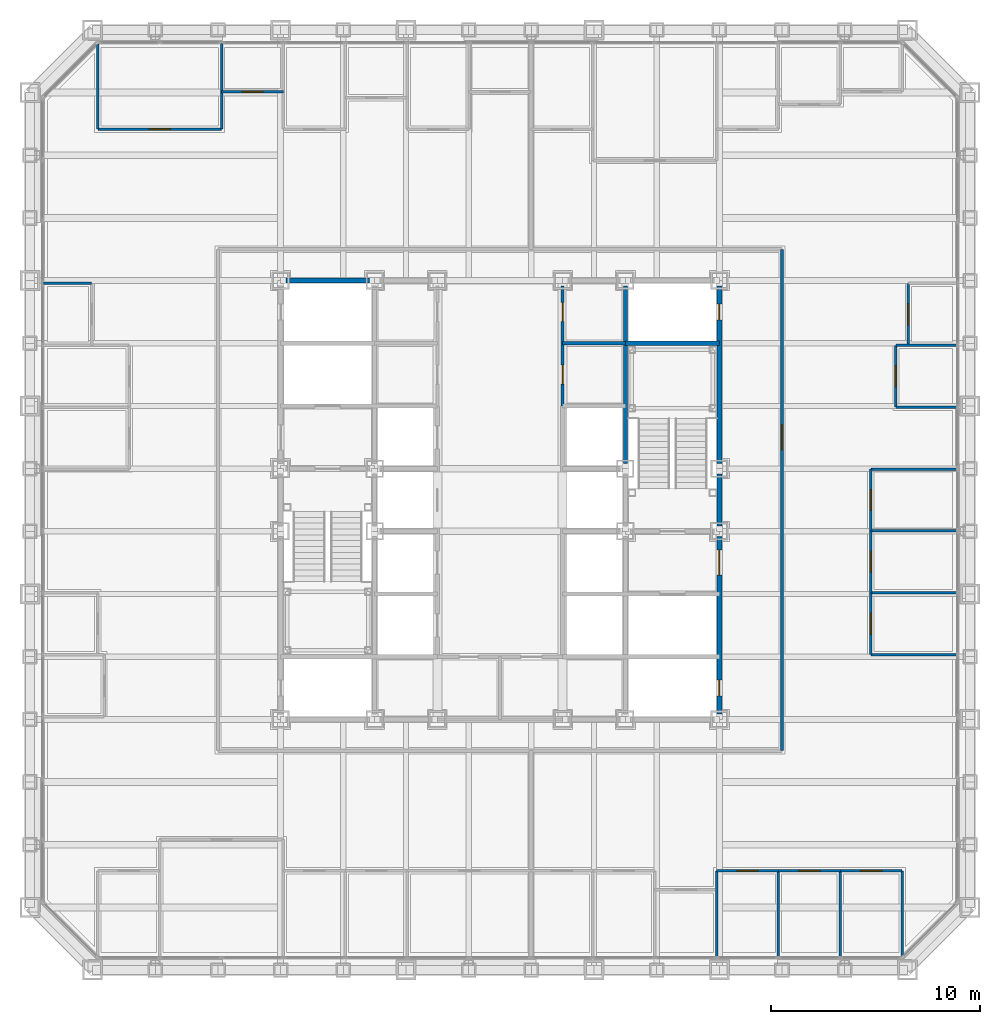
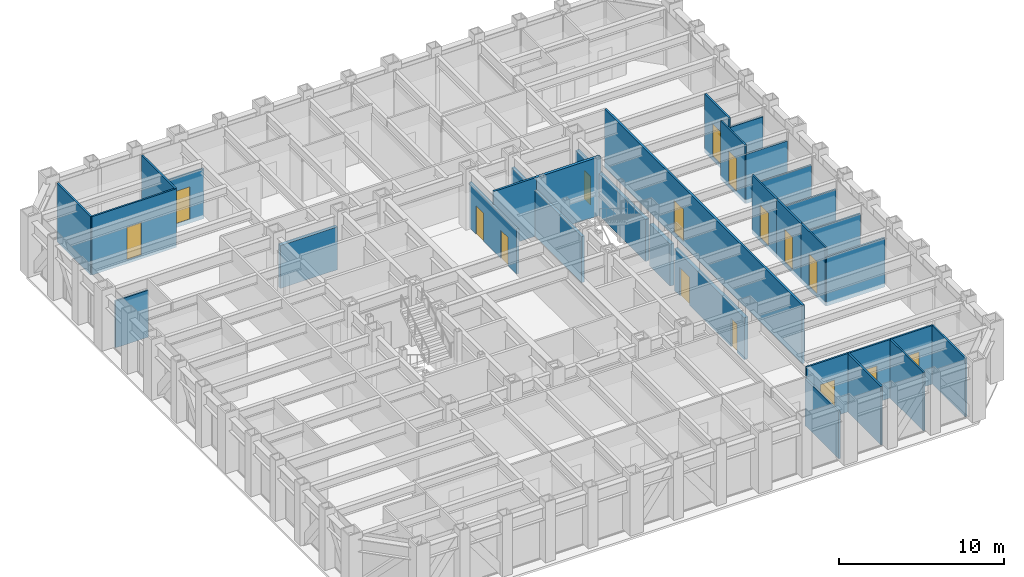
# One storey, part 10 of 16: 32 walls, 16 doors, 16 openings.
"""IFC4 building model written with IfcOpenShell, lengths in metres."""

import ifcopenshell
import ifcopenshell.guid

model = None  # the IFC model being written
_history = None  # IfcOwnerHistory: only IFC2X3 demands one
_inside = {}  # id of a spatial element -> (the spatial element, [elements in it])
_under = {}  # id of a project, library or spatial element -> (it, [spatial elements below it])
_declared = {}  # id of a project -> (the project, [libraries it declares])
_typed = {}  # id of a type object -> (the type object, [elements of that type])
_made_of = {}  # id of a material, layer set ... -> (it, [elements and type objects made of it])


def new_model(schema):
    """Start an empty IFC model of exactly this schema.

    Asked for "IFC4X3", IfcOpenShell would pick the latest addendum, in which some entities
    have other attributes; the version numbers below select the first issue.
    IFC2X3 requires an IfcOwnerHistory on every rooted entity: one is made here for all.
    """
    global model, _history
    if schema == "IFC4X3":
        model = ifcopenshell.file(schema_version=(4, 3, 0, 0))
    else:
        model = ifcopenshell.file(schema=schema)
    _inside.clear()
    _under.clear()
    _declared.clear()
    _typed.clear()
    _made_of.clear()
    _history = None
    if model.schema == "IFC2X3":
        org = make("IfcOrganization", Name="unknown")
        user = make(
            "IfcPersonAndOrganization",
            ThePerson=make("IfcPerson", FamilyName="unknown"),
            TheOrganization=org,
        )
        app = make(
            "IfcApplication",
            ApplicationDeveloper=org,
            Version="unknown",
            ApplicationFullName="unknown",
            ApplicationIdentifier="unknown",
        )
        _history = make(
            "IfcOwnerHistory",
            OwningUser=user,
            OwningApplication=app,
            ChangeAction="ADDED",
            CreationDate=0,
        )
    return model


def make(cls, **values):
    """One entity of the class cls with the attributes given. An attribute that is None is left unset."""
    return model.create_entity(
        cls, **{name: value for name, value in values.items() if value is not None}
    )


def rooted(cls, **values):
    """An entity with a GlobalId (a new one), such as an element, a storey or a relation."""
    return make(cls, GlobalId=ifcopenshell.guid.new(), OwnerHistory=_history, **values)


def si_unit(unit_type, name, prefix=None):
    """IfcSIUnit, for example si_unit("LENGTHUNIT", "METRE", prefix="MILLI")."""
    return make("IfcSIUnit", UnitType=unit_type, Prefix=prefix, Name=name)


def assignment(units):
    """IfcUnitAssignment: the units of a project."""
    return None if units is None else make("IfcUnitAssignment", Units=units)


def point(xyz):
    """IfcCartesianPoint."""
    return None if xyz is None else make("IfcCartesianPoint", Coordinates=xyz)


def direction(xyz):
    """IfcDirection."""
    return None if xyz is None else make("IfcDirection", DirectionRatios=xyz)


def frame(location, z_axis=None, x_axis=None):
    """IfcAxis2Placement3D, a coordinate frame: its origin and axes. An axis left out is left unset."""
    return make(
        "IfcAxis2Placement3D",
        Location=point(location),
        Axis=direction(z_axis),
        RefDirection=direction(x_axis),
    )


def frame_2d(location, x_axis=None):
    """IfcAxis2Placement2D, a coordinate frame in the plane: its origin and x axis."""
    return make(
        "IfcAxis2Placement2D", Location=point(location), RefDirection=direction(x_axis)
    )


def origin():
    """The frame at (0, 0, 0) with its axes left unset."""
    return frame((0.0, 0.0, 0.0))


def place(relative_to, where):
    """IfcLocalPlacement: puts the frame where relative to a parent placement (None: the world)."""
    return make(
        "IfcLocalPlacement", PlacementRelTo=relative_to, RelativePlacement=where
    )


def context(
    kind, dimensions, precision=None, world=None, true_north=None, identifier=None
):
    """IfcGeometricRepresentationContext, for example the 3D "Model" context."""
    return make(
        "IfcGeometricRepresentationContext",
        ContextIdentifier=identifier,
        ContextType=kind,
        CoordinateSpaceDimension=dimensions,
        Precision=precision,
        WorldCoordinateSystem=world,
        TrueNorth=true_north,
    )


def subcontext(parent, identifier, kind, view, scale=None):
    """IfcGeometricRepresentationSubContext, for example "Body" below "Model"."""
    return make(
        "IfcGeometricRepresentationSubContext",
        ContextIdentifier=identifier,
        ContextType=kind,
        ParentContext=parent,
        TargetScale=scale,
        TargetView=view,
    )


def project(units=None, contexts=None):
    """IfcProject with its units and contexts."""
    return rooted(
        "IfcProject",
        Name="project",
        RepresentationContexts=contexts,
        UnitsInContext=assignment(units),
    )


def spatial(cls, under=None, at=None, **own):
    """A site, building, storey or space (cls), placed at a placement, below another one or the project."""
    s = rooted(cls, ObjectPlacement=at, **own)
    if under is not None:
        _under.setdefault(under.id(), (under, []))[1].append(s)
    return s


def profile(cls, at=None, kind="AREA", **sizes):
    """A parametric profile (cls). Its sizes go by their IFC names, for example OverallWidth=200.0."""
    return make(cls, ProfileType=kind, Position=at, **sizes)


def rectangle(**sizes):
    """IfcRectangleProfileDef."""
    return profile("IfcRectangleProfileDef", **sizes)


def extrude(swept, where, along, depth):
    """IfcExtrudedAreaSolid: the profile swept, set in the frame where, extruded along a direction by depth."""
    return make(
        "IfcExtrudedAreaSolid",
        SweptArea=swept,
        Position=where,
        ExtrudedDirection=direction(along),
        Depth=depth,
    )


def shape(context_of_items, identifier, shape_type, items):
    """IfcShapeRepresentation: the items that make up one representation, for example the "Body"."""
    return make(
        "IfcShapeRepresentation",
        ContextOfItems=context_of_items,
        RepresentationIdentifier=identifier,
        RepresentationType=shape_type,
        Items=items,
    )


def material(Name=None, Category=None):
    """IfcMaterial."""
    return make("IfcMaterial", Name=Name, Category=Category)


def layer(
    of_material, thickness, ventilated=None, Name=None, Category=None, Priority=None
):
    """IfcMaterialLayer: one layer of a wall or slab, of a material (None: an air gap)."""
    return make(
        "IfcMaterialLayer",
        Material=of_material,
        LayerThickness=thickness,
        IsVentilated=ventilated,
        Name=Name,
        Category=Category,
        Priority=Priority,
    )


def layer_set(layers, Name=None):
    """IfcMaterialLayerSet."""
    return make("IfcMaterialLayerSet", MaterialLayers=layers, LayerSetName=Name)


def made_of(thing, what):
    """Note that an element or type object is made of a material, layer set ...; save() writes the relation."""
    if what is not None:
        _made_of.setdefault(what.id(), (what, []))[1].append(thing)
    return thing


def type_object(cls, material=None, **own):
    """A type object (cls), such as IfcWallType, which elements share."""
    return made_of(rooted(cls, **own), material)


def element(
    cls,
    number,
    at=None,
    inside=None,
    cuts=None,
    type_object=None,
    material=None,
    context=None,
    identifier="Body",
    shape_type=None,
    held_by="IfcProductDefinitionShape",
    body=None,
    shapes=None,
    **own,
):
    """One element of the class cls, such as IfcWall. Its Tag is "e" and its number.

    at: its placement. inside: the storey or other place that contains it. cuts: it is an
    opening in that element (IfcRelVoidsElement). A single representation is given by context,
    identifier, shape_type and body (its items); several are given by shapes. held_by: the class
    of the entity that holds the representations. save() writes the other relations.
    """
    e = rooted(cls, Tag="e%d" % number, ObjectPlacement=at, **own)
    if body is not None:
        shapes = [shape(context, identifier, shape_type, body)]
    if shapes is not None:
        e.Representation = make(held_by, Representations=shapes)
    if inside is not None:
        _inside.setdefault(inside.id(), (inside, []))[1].append(e)
    if cuts is not None:
        rooted(
            "IfcRelVoidsElement", RelatingBuildingElement=cuts, RelatedOpeningElement=e
        )
    if type_object is not None:
        _typed.setdefault(type_object.id(), (type_object, []))[1].append(e)
    return made_of(e, material)


def fill(opening, filler):
    """IfcRelFillsElement: the door or window that sits in an opening."""
    return rooted(
        "IfcRelFillsElement",
        RelatingOpeningElement=opening,
        RelatedBuildingElement=filler,
    )


def aggregate(whole, parts):
    """IfcRelAggregates: a whole, such as a stair, and the parts it consists of."""
    return rooted("IfcRelAggregates", RelatingObject=whole, RelatedObjects=parts)


def save(model, path):
    """Write the relations noted so far, then the file.

    IfcRelAggregates (storeys below a building ...), IfcRelContainedInSpatialStructure (elements
    in a storey), IfcRelDefinesByType, IfcRelAssociatesMaterial and IfcRelDeclares: one each for
    every whole, place, type object, material and project.
    """
    for whole, parts in _under.values():
        aggregate(whole, parts)
    for where, things in _inside.values():
        rooted(
            "IfcRelContainedInSpatialStructure",
            RelatedElements=things,
            RelatingStructure=where,
        )
    for kind, things in _typed.values():
        rooted("IfcRelDefinesByType", RelatedObjects=things, RelatingType=kind)
    for what, things in _made_of.values():
        rooted("IfcRelAssociatesMaterial", RelatedObjects=things, RelatingMaterial=what)
    for by, libraries in _declared.values():
        rooted("IfcRelDeclares", RelatingContext=by, RelatedDefinitions=libraries)
    model.write(path)


model = new_model("IFC4")

# Units and contexts
model_context = context("Model", 3, precision=1e-05, world=origin(), true_north=direction((0.0, 1.0)))
body_context = subcontext(model_context, "Body", "Model", "MODEL_VIEW")
ifc_project = project(units=[si_unit("LENGTHUNIT", "METRE"), si_unit("AREAUNIT", "SQUARE_METRE"), si_unit("VOLUMEUNIT", "CUBIC_METRE"), si_unit("PLANEANGLEUNIT", "RADIAN"), si_unit("MASSUNIT", "GRAM", prefix="KILO")], contexts=[model_context])

# Site, building, storey
site_placement = place(None, origin())
site = spatial("IfcSite", under=ifc_project, at=site_placement, CompositionType="ELEMENT")
building_placement = place(site_placement, origin())
building = spatial("IfcBuilding", under=site, at=building_placement, Name="Chuquiago Exchange Tower", CompositionType="ELEMENT")
storey_placement = place(building_placement, frame((0.0, 0.0, 60.300048828125)))
storey = spatial("IfcBuildingStorey", under=building, at=storey_placement, Name="L12", CompositionType="ELEMENT", Elevation=60.300048828125)

# Wall
ifc_material_1 = material(Name="Concrete masonry, fully grouted", Category="masonry")
ifc_layer_1 = layer(ifc_material_1, 0.25)
ifc_layer_set_1 = layer_set([ifc_layer_1], Name="W1 core wall 250")
wall_type_1 = type_object("IfcWallType", Name="W1 core wall 250", PredefinedType="SOLIDWALL", material=ifc_layer_set_1)
wall_1_placement = place(storey_placement, frame((12.25, 33.0, 0.0), z_axis=(0.0, 0.0, 1.0), x_axis=(1.0, 0.0, 0.0)))
element("IfcWall", 1, at=wall_1_placement, inside=storey, type_object=wall_type_1, Name="CW-L12-11-0", PredefinedType="SOLIDWALL", context=body_context, shape_type="SweptSolid", body=[
    extrude(rectangle(XDim=4.0, YDim=0.25, at=frame_2d((2.0, 0.0))), origin(), (0.0, 0.0, 1.0), 3.181396484375),
])

# Wall, openings, doors
wall_2_placement = place(storey_placement, frame((33.0, 12.25, 0.0), z_axis=(0.0, 0.0, 1.0), x_axis=(0.0, 1.0, 0.0)))
wall_2 = element("IfcWall", 2, at=wall_2_placement, inside=storey, type_object=wall_type_1, Name="CW-L12-25-0", PredefinedType="SOLIDWALL", context=body_context, shape_type="SweptSolid", body=[
    extrude(rectangle(XDim=8.5, YDim=0.25, at=frame_2d((4.25, 0.0))), origin(), (0.0, 0.0, 1.0), 3.11279296875),
])
opening_1_placement = place(wall_2_placement, frame((6.64990234375, 0.0, 0.0)))
opening_1 = element("IfcOpeningElement", 3, at=opening_1_placement, cuts=wall_2, Name="Opening L12-004", PredefinedType="OPENING", context=body_context, shape_type="SweptSolid", body=[
    extrude(rectangle(XDim=1.199951171875, YDim=2.10009765625, at=frame_2d((0.60009765625, 1.050048828125))), frame((0.0, 0.135009765625, 0.0), z_axis=(0.0, -1.0, 0.0), x_axis=(1.0, 0.0, 0.0)), (0.0, 0.0, 1.0), 0.27001953125),
])
opening_2_placement = place(wall_2_placement, frame((0.875, 0.0, 0.0)))
opening_2 = element("IfcOpeningElement", 4, at=opening_2_placement, cuts=wall_2, Name="Opening L12-009", PredefinedType="OPENING", context=body_context, shape_type="SweptSolid", body=[
    extrude(rectangle(XDim=0.75, YDim=2.10009765625, at=frame_2d((0.375, 1.050048828125))), frame((0.0, 0.135009765625, 0.0), z_axis=(0.0, -1.0, 0.0), x_axis=(1.0, 0.0, 0.0)), (0.0, 0.0, 1.0), 0.27001953125),
])
ifc_material_2 = material(Name="Steel door, painted", Category="steel")
door_type_1 = type_object("IfcDoorType", Name="D5 firefighting lobby door 1200x2100", OperationType="SINGLE_SWING_LEFT", PredefinedType="DOOR", material=ifc_material_2)
door_1_placement = place(opening_1_placement, origin())
door_1 = element("IfcDoor", 5, at=door_1_placement, inside=storey, type_object=door_type_1, Name="Firefighting lobby 2 door", OperationType="SINGLE_SWING_RIGHT", OverallHeight=2.10009765625, OverallWidth=1.199951171875, PredefinedType="DOOR", context=body_context, shape_type="SweptSolid", body=[
    extrude(rectangle(XDim=1.199951171875, YDim=2.10009765625, at=frame_2d((0.60009765625, 1.050048828125))), frame((0.0, 0.02490234375, 0.0), z_axis=(0.0, -1.0, 0.0), x_axis=(1.0, 0.0, 0.0)), (0.0, 0.0, 1.0), 0.050048828125),
])
fill(opening_1, door_1)
ifc_material_3 = material(Name="Steel door, painted", Category="steel")
door_type_2 = type_object("IfcDoorType", Name="D6 riser access door 750x2100", OperationType="SINGLE_SWING_LEFT", PredefinedType="DOOR", material=ifc_material_3)
door_2_placement = place(opening_2_placement, frame((0.75, 0.0, 0.0), z_axis=(0.0, 0.0, 1.0), x_axis=(-1.0, 0.0, 0.0)))
door_2 = element("IfcDoor", 6, at=door_2_placement, inside=storey, type_object=door_type_2, Name="Riser RE1 door", OperationType="SINGLE_SWING_RIGHT", OverallHeight=2.10009765625, OverallWidth=0.75, PredefinedType="DOOR", context=body_context, shape_type="SweptSolid", body=[
    extrude(rectangle(XDim=0.75, YDim=2.10009765625, at=frame_2d((0.375, 1.050048828125))), frame((0.0, 0.02490234375, 0.0), z_axis=(0.0, -1.0, 0.0), x_axis=(1.0, 0.0, 0.0)), (0.0, 0.0, 1.0), 0.050048828125),
])
fill(opening_2, door_2)

# Wall
wall_3_placement = place(storey_placement, frame((33.0, 21.25, 0.0), z_axis=(0.0, 0.0, 1.0), x_axis=(0.0, 1.0, 0.0)))
element("IfcWall", 7, at=wall_3_placement, inside=storey, type_object=wall_type_1, Name="CW-L12-25-1", PredefinedType="SOLIDWALL", context=body_context, shape_type="SweptSolid", body=[
    extrude(rectangle(XDim=2.5, YDim=0.25, at=frame_2d((1.25, 0.0))), origin(), (0.0, 0.0, 1.0), 3.11279296875),
])

# Wall, opening, door
wall_4_placement = place(storey_placement, frame((33.0, 24.25, 0.0), z_axis=(0.0, 0.0, 1.0), x_axis=(0.0, 1.0, 0.0)))
wall_4 = element("IfcWall", 8, at=wall_4_placement, inside=storey, type_object=wall_type_1, Name="CW-L12-25-2", PredefinedType="SOLIDWALL", context=body_context, shape_type="SweptSolid", body=[
    extrude(rectangle(XDim=8.5, YDim=0.25, at=frame_2d((4.25, 0.0))), origin(), (0.0, 0.0, 1.0), 3.11279296875),
])
opening_3_placement = place(wall_4_placement, frame((6.875, 0.0, 0.0)))
opening_3 = element("IfcOpeningElement", 9, at=opening_3_placement, cuts=wall_4, Name="Opening L12-010", PredefinedType="OPENING", context=body_context, shape_type="SweptSolid", body=[
    extrude(rectangle(XDim=0.75, YDim=2.10009765625, at=frame_2d((0.375, 1.050048828125))), frame((0.0, 0.135009765625, 0.0), z_axis=(0.0, -1.0, 0.0), x_axis=(1.0, 0.0, 0.0)), (0.0, 0.0, 1.0), 0.27001953125),
])
door_3_placement = place(opening_3_placement, frame((0.75, 0.0, 0.0), z_axis=(0.0, 0.0, 1.0), x_axis=(-1.0, 0.0, 0.0)))
door_3 = element("IfcDoor", 10, at=door_3_placement, inside=storey, type_object=door_type_2, Name="Riser RE2 door", OperationType="SINGLE_SWING_LEFT", OverallHeight=2.10009765625, OverallWidth=0.75, PredefinedType="DOOR", context=body_context, shape_type="SweptSolid", body=[
    extrude(rectangle(XDim=0.75, YDim=2.10009765625, at=frame_2d((0.375, 1.050048828125))), frame((0.0, 0.02490234375, 0.0), z_axis=(0.0, -1.0, 0.0), x_axis=(1.0, 0.0, 0.0)), (0.0, 0.0, 1.0), 0.050048828125),
])
fill(opening_3, door_3)

ifc_material_4 = material(Name="Gypsum board on steel studs, acoustic insulation", Category="steel")
ifc_layer_2 = layer(ifc_material_4, 0.14990234375)
ifc_layer_set_2 = layer_set([ifc_layer_2], Name="W11 corridor wall 150")
wall_type_2 = type_object("IfcWallType", Name="W11 corridor wall 150", PredefinedType="PARTITIONING", material=ifc_layer_set_2)
wall_5_placement = place(storey_placement, frame((36.0, 10.5, -0.300048828125), z_axis=(0.0, 0.0, 1.0), x_axis=(0.0, 1.0, 0.0)))
wall_5 = element("IfcWall", 11, at=wall_5_placement, inside=storey, type_object=wall_type_2, Name="PW-L12-CE", PredefinedType="PARTITIONING", context=body_context, shape_type="SweptSolid", body=[
    extrude(rectangle(XDim=24.0, YDim=0.14990234375, at=frame_2d((12.0, 0.0))), origin(), (0.0, 0.0, 1.0), 4.340087890625),
])
opening_4_placement = place(wall_5_placement, frame((14.39990234375, 0.0, 0.300048828125)))
opening_4 = element("IfcOpeningElement", 12, at=opening_4_placement, cuts=wall_5, Name="Opening L12-054", PredefinedType="OPENING", context=body_context, shape_type="SweptSolid", body=[
    extrude(rectangle(XDim=1.199951171875, YDim=2.39990234375, at=frame_2d((0.60009765625, 1.199951171875))), frame((0.0, 0.0849609375, 0.0), z_axis=(0.0, -1.0, 0.0), x_axis=(1.0, 0.0, 0.0)), (0.0, 0.0, 1.0), 0.169921875),
])
ifc_material_5 = material(Name="Timber door, laminate faced", Category="wood")
door_type_3 = type_object("IfcDoorType", Name="D13 suite entrance door 1200x2400", OperationType="SINGLE_SWING_LEFT", PredefinedType="DOOR", material=ifc_material_5)
door_4_placement = place(opening_4_placement, origin())
door_4 = element("IfcDoor", 13, at=door_4_placement, inside=storey, type_object=door_type_3, Name="East suite entrance door", OperationType="SINGLE_SWING_RIGHT", OverallHeight=2.39990234375, OverallWidth=1.199951171875, PredefinedType="DOOR", context=body_context, shape_type="SweptSolid", body=[
    extrude(rectangle(XDim=1.199951171875, YDim=2.39990234375, at=frame_2d((0.60009765625, 1.199951171875))), frame((0.0, 0.02490234375, 0.0), z_axis=(0.0, -1.0, 0.0), x_axis=(1.0, 0.0, 0.0)), (0.0, 0.0, 1.0), 0.050048828125),
])
fill(opening_4, door_4)

# Walls
ifc_material_6 = material(Name="Concrete masonry, fully grouted", Category="masonry")
ifc_layer_3 = layer(ifc_material_6, 0.199951171875)
ifc_layer_set_3 = layer_set([ifc_layer_3], Name="W2 shaft wall 200")
wall_type_3 = type_object("IfcWallType", Name="W2 shaft wall 200", PredefinedType="SOLIDWALL", material=ifc_layer_set_3)
wall_6_placement = place(storey_placement, frame((28.5, 30.0, 0.0), z_axis=(0.0, 0.0, 1.0), x_axis=(1.0, 0.0, 0.0)))
element("IfcWall", 14, at=wall_6_placement, inside=storey, type_object=wall_type_3, Name="CW-L12-10-0", PredefinedType="SOLIDWALL", context=body_context, shape_type="SweptSolid", body=[
    extrude(rectangle(XDim=4.5, YDim=0.199951171875, at=frame_2d((2.25, 0.0))), origin(), (0.0, 0.0, 1.0), 4.33984375),
])
wall_7_placement = place(storey_placement, frame((28.5, 24.25, 0.0), z_axis=(0.0, 0.0, 1.0), x_axis=(0.0, 1.0, 0.0)))
element("IfcWall", 15, at=wall_7_placement, inside=storey, type_object=wall_type_3, Name="CW-L12-24-2", PredefinedType="SOLIDWALL", context=body_context, shape_type="SweptSolid", body=[
    extrude(rectangle(XDim=8.5, YDim=0.199951171875, at=frame_2d((4.25, 0.0))), origin(), (0.0, 0.0, 1.0), 3.412841796875),
])

# Wall, openings, doors
ifc_material_7 = material(Name="Gypsum board on steel studs", Category="steel")
ifc_layer_4 = layer(ifc_material_7, 0.14990234375)
ifc_layer_set_4 = layer_set([ifc_layer_4], Name="W3 core partition 150")
wall_type_4 = type_object("IfcWallType", Name="W3 core partition 150", PredefinedType="PARTITIONING", material=ifc_layer_set_4)
wall_8_placement = place(storey_placement, frame((25.5, 27.0, 0.0), z_axis=(0.0, 0.0, 1.0), x_axis=(0.0, 1.0, 0.0)))
wall_8 = element("IfcWall", 16, at=wall_8_placement, inside=storey, type_object=wall_type_4, Name="CW-L12-23-0", PredefinedType="PARTITIONING", context=body_context, shape_type="SweptSolid", body=[
    extrude(rectangle(XDim=5.75, YDim=0.14990234375, at=frame_2d((2.875, 0.0))), origin(), (0.0, 0.0, 1.0), 3.364501953125),
])
opening_5_placement = place(wall_8_placement, frame((1.050048828125, 0.0, 0.0)))
opening_5 = element("IfcOpeningElement", 17, at=opening_5_placement, cuts=wall_8, Name="Opening L12-013", PredefinedType="OPENING", context=body_context, shape_type="SweptSolid", body=[
    extrude(rectangle(XDim=0.89990234375, YDim=2.10009765625, at=frame_2d((0.449951171875, 1.050048828125))), frame((0.0, 0.0849609375, 0.0), z_axis=(0.0, -1.0, 0.0), x_axis=(1.0, 0.0, 0.0)), (0.0, 0.0, 1.0), 0.169921875),
])
opening_6_placement = place(wall_8_placement, frame((4.050048828125, 0.0, 0.0)))
opening_6 = element("IfcOpeningElement", 18, at=opening_6_placement, cuts=wall_8, Name="Opening L12-014", PredefinedType="OPENING", context=body_context, shape_type="SweptSolid", body=[
    extrude(rectangle(XDim=0.89990234375, YDim=2.10009765625, at=frame_2d((0.449951171875, 1.050048828125))), frame((0.0, 0.0849609375, 0.0), z_axis=(0.0, -1.0, 0.0), x_axis=(1.0, 0.0, 0.0)), (0.0, 0.0, 1.0), 0.169921875),
])
ifc_material_8 = material(Name="Timber door, laminate faced", Category="wood")
door_type_4 = type_object("IfcDoorType", Name="D16 core room door 900x2100", OperationType="SINGLE_SWING_LEFT", PredefinedType="DOOR", material=ifc_material_8)
door_5_placement = place(opening_6_placement, frame((0.89990234375, 0.0, 0.0), z_axis=(0.0, 0.0, 1.0), x_axis=(-1.0, 0.0, 0.0)))
door_5 = element("IfcDoor", 19, at=door_5_placement, inside=storey, type_object=door_type_4, Name="Baby change room door", OperationType="SINGLE_SWING_LEFT", OverallHeight=2.10009765625, OverallWidth=0.89990234375, PredefinedType="DOOR", context=body_context, shape_type="SweptSolid", body=[
    extrude(rectangle(XDim=0.89990234375, YDim=2.10009765625, at=frame_2d((0.449951171875, 1.050048828125))), frame((0.0, 0.02490234375, 0.0), z_axis=(0.0, -1.0, 0.0), x_axis=(1.0, 0.0, 0.0)), (0.0, 0.0, 1.0), 0.050048828125),
])
fill(opening_6, door_5)
ifc_material_9 = material(Name="Timber door, laminate faced", Category="wood")
door_type_5 = type_object("IfcDoorType", Name="D7 toilet door 900x2100", OperationType="SINGLE_SWING_LEFT", PredefinedType="DOOR", material=ifc_material_9)
door_6_placement = place(opening_5_placement, frame((0.89990234375, 0.0, 0.0), z_axis=(0.0, 0.0, 1.0), x_axis=(-1.0, 0.0, 0.0)))
door_6 = element("IfcDoor", 20, at=door_6_placement, inside=storey, type_object=door_type_5, Name="Female WC door", OperationType="SINGLE_SWING_RIGHT", OverallHeight=2.10009765625, OverallWidth=0.89990234375, PredefinedType="DOOR", context=body_context, shape_type="SweptSolid", body=[
    extrude(rectangle(XDim=0.89990234375, YDim=2.10009765625, at=frame_2d((0.449951171875, 1.050048828125))), frame((0.0, 0.02490234375, 0.0), z_axis=(0.0, -1.0, 0.0), x_axis=(1.0, 0.0, 0.0)), (0.0, 0.0, 1.0), 0.050048828125),
])
fill(opening_5, door_6)

# Walls
wall_9_placement = place(storey_placement, frame((25.5, 30.0, 0.0), z_axis=(0.0, 0.0, 1.0), x_axis=(1.0, 0.0, 0.0)))
element("IfcWall", 21, at=wall_9_placement, inside=storey, type_object=wall_type_4, Name="CW-L12-WCFS", PredefinedType="PARTITIONING", context=body_context, shape_type="SweptSolid", body=[
    extrude(rectangle(XDim=3.0, YDim=0.14990234375, at=frame_2d((1.5, 0.0))), origin(), (0.0, 0.0, 1.0), 4.33984375),
])
ifc_material_10 = material(Name="Gypsum board on steel studs", Category="steel")
ifc_layer_5 = layer(ifc_material_10, 0.1201171875)
ifc_layer_set_5 = layer_set([ifc_layer_5], Name="W4 partition 120")
wall_type_5 = type_object("IfcWallType", Name="W4 partition 120", PredefinedType="PARTITIONING", material=ifc_layer_set_5)
wall_10_placement = place(storey_placement, frame((32.8662109375, 0.657470703125, -0.300048828125), z_axis=(0.0, 0.0, 1.0), x_axis=(0.0, 1.0, 0.0)))
element("IfcWall", 22, at=wall_10_placement, inside=storey, type_object=wall_type_5, Name="PW-L12-S03287", PredefinedType="PARTITIONING", context=body_context, shape_type="SweptSolid", body=[
    extrude(rectangle(XDim=4.092529296875, YDim=0.1201171875, at=frame_2d((2.04638671875, 0.0))), origin(), (0.0, 0.0, 1.0), 3.4814453125),
])
for number, where, z_axis, x_axis, name in (
    (23, (35.827880859375, 0.657470703125, -0.300048828125), (0.0, 0.0, 1.0), (0.0, 1.0, 0.0), "PW-L12-S03583"),
    (24, (38.789794921875, 0.657470703125, -0.300048828125), (0.0, 0.0, 1.0), (0.0, 1.0, 0.0), "PW-L12-S03879"),
):
    element("IfcWall", number, at=place(storey_placement, frame(where, z_axis=z_axis, x_axis=x_axis)), inside=storey, type_object=wall_type_5, Name=name, PredefinedType="PARTITIONING", context=body_context, shape_type="SweptSolid", body=[
        extrude(rectangle(XDim=4.092529296875, YDim=0.1201171875, at=frame_2d((2.04638671875, 0.0))), origin(), (0.0, 0.0, 1.0), 4.340087890625),
    ])
wall_11_placement = place(storey_placement, frame((41.75146484375, 0.666015625, -0.300048828125), z_axis=(0.0, 0.0, 1.0), x_axis=(0.0, 1.0, 0.0)))
element("IfcWall", 25, at=wall_11_placement, inside=storey, type_object=wall_type_5, Name="PW-L12-S04175", PredefinedType="PARTITIONING", context=body_context, shape_type="SweptSolid", body=[
    extrude(rectangle(XDim=4.083984375, YDim=0.1201171875, at=frame_2d((2.0419921875, 0.0))), origin(), (0.0, 0.0, 1.0), 4.340087890625),
])

# Wall, opening, door
wall_12_placement = place(storey_placement, frame((32.8662109375, 4.75, -0.300048828125), z_axis=(0.0, 0.0, 1.0), x_axis=(1.0, 0.0, 0.0)))
wall_12 = element("IfcWall", 26, at=wall_12_placement, inside=storey, type_object=wall_type_5, Name="PW-L12-SF03287", PredefinedType="PARTITIONING", context=body_context, shape_type="SweptSolid", body=[
    extrude(rectangle(XDim=2.961669921875, YDim=0.1201171875, at=frame_2d((1.48095703125, 0.0))), origin(), (0.0, 0.0, 1.0), 4.340087890625),
])
opening_7_placement = place(wall_12_placement, frame((0.98095703125, 0.0, 0.300048828125)))
opening_7 = element("IfcOpeningElement", 27, at=opening_7_placement, cuts=wall_12, Name="Opening L12-029", PredefinedType="OPENING", context=body_context, shape_type="SweptSolid", body=[
    extrude(rectangle(XDim=1.0, YDim=2.39990234375, at=frame_2d((0.5, 1.199951171875))), frame((0.0, 0.070068359375, 0.0), z_axis=(0.0, -1.0, 0.0), x_axis=(1.0, 0.0, 0.0)), (0.0, 0.0, 1.0), 0.14013671875),
])
ifc_material_11 = material(Name="Timber door, laminate faced", Category="wood")
door_type_6 = type_object("IfcDoorType", Name="D9 room door 1000x2400", OperationType="SINGLE_SWING_LEFT", PredefinedType="DOOR", material=ifc_material_11)
door_7_placement = place(opening_7_placement, frame((1.0, 0.0, 0.0), z_axis=(0.0, 0.0, 1.0), x_axis=(-1.0, 0.0, 0.0)))
door_7 = element("IfcDoor", 28, at=door_7_placement, inside=storey, type_object=door_type_6, Name="Trading support room door", OperationType="SINGLE_SWING_LEFT", OverallHeight=2.39990234375, OverallWidth=1.0, PredefinedType="DOOR", context=body_context, shape_type="SweptSolid", body=[
    extrude(rectangle(XDim=1.0, YDim=2.39990234375, at=frame_2d((0.5, 1.199951171875))), frame((0.0, 0.02490234375, 0.0), z_axis=(0.0, -1.0, 0.0), x_axis=(1.0, 0.0, 0.0)), (0.0, 0.0, 1.0), 0.050048828125),
])
fill(opening_7, door_7)

wall_13_placement = place(storey_placement, frame((35.827880859375, 4.75, -0.300048828125), z_axis=(0.0, 0.0, 1.0), x_axis=(1.0, 0.0, 0.0)))
wall_13 = element("IfcWall", 29, at=wall_13_placement, inside=storey, type_object=wall_type_5, Name="PW-L12-SF03583", PredefinedType="PARTITIONING", context=body_context, shape_type="SweptSolid", body=[
    extrude(rectangle(XDim=2.9619140625, YDim=0.1201171875, at=frame_2d((1.48095703125, 0.0))), origin(), (0.0, 0.0, 1.0), 4.340087890625),
])
opening_8_placement = place(wall_13_placement, frame((0.98095703125, 0.0, 0.300048828125)))
opening_8 = element("IfcOpeningElement", 30, at=opening_8_placement, cuts=wall_13, Name="Opening L12-030", PredefinedType="OPENING", context=body_context, shape_type="SweptSolid", body=[
    extrude(rectangle(XDim=1.0, YDim=2.39990234375, at=frame_2d((0.5, 1.199951171875))), frame((0.0, 0.070068359375, 0.0), z_axis=(0.0, -1.0, 0.0), x_axis=(1.0, 0.0, 0.0)), (0.0, 0.0, 1.0), 0.14013671875),
])
door_8_placement = place(opening_8_placement, frame((1.0, 0.0, 0.0), z_axis=(0.0, 0.0, 1.0), x_axis=(-1.0, 0.0, 0.0)))
door_8 = element("IfcDoor", 31, at=door_8_placement, inside=storey, type_object=door_type_6, Name="Trading support room door", OperationType="SINGLE_SWING_RIGHT", OverallHeight=2.39990234375, OverallWidth=1.0, PredefinedType="DOOR", context=body_context, shape_type="SweptSolid", body=[
    extrude(rectangle(XDim=1.0, YDim=2.39990234375, at=frame_2d((0.5, 1.199951171875))), frame((0.0, 0.02490234375, 0.0), z_axis=(0.0, -1.0, 0.0), x_axis=(1.0, 0.0, 0.0)), (0.0, 0.0, 1.0), 0.050048828125),
])
fill(opening_8, door_8)

wall_14_placement = place(storey_placement, frame((38.789794921875, 4.75, -0.300048828125), z_axis=(0.0, 0.0, 1.0), x_axis=(1.0, 0.0, 0.0)))
wall_14 = element("IfcWall", 32, at=wall_14_placement, inside=storey, type_object=wall_type_5, Name="PW-L12-SF03879", PredefinedType="PARTITIONING", context=body_context, shape_type="SweptSolid", body=[
    extrude(rectangle(XDim=2.961669921875, YDim=0.1201171875, at=frame_2d((1.48095703125, 0.0))), origin(), (0.0, 0.0, 1.0), 4.340087890625),
])
opening_9_placement = place(wall_14_placement, frame((0.98095703125, 0.0, 0.300048828125)))
opening_9 = element("IfcOpeningElement", 33, at=opening_9_placement, cuts=wall_14, Name="Opening L12-031", PredefinedType="OPENING", context=body_context, shape_type="SweptSolid", body=[
    extrude(rectangle(XDim=1.0, YDim=2.39990234375, at=frame_2d((0.5, 1.199951171875))), frame((0.0, 0.070068359375, 0.0), z_axis=(0.0, -1.0, 0.0), x_axis=(1.0, 0.0, 0.0)), (0.0, 0.0, 1.0), 0.14013671875),
])
ifc_material_12 = material(Name="Timber frame door, full height glazed panel", Category="wood")
door_type_7 = type_object("IfcDoorType", Name="D14 glazed meeting room door 1000x2400", OperationType="SINGLE_SWING_LEFT", PredefinedType="DOOR", material=ifc_material_12)
door_9_placement = place(opening_9_placement, frame((1.0, 0.0, 0.0), z_axis=(0.0, 0.0, 1.0), x_axis=(-1.0, 0.0, 0.0)))
door_9 = element("IfcDoor", 34, at=door_9_placement, inside=storey, type_object=door_type_7, Name="Meeting room door", OperationType="SINGLE_SWING_LEFT", OverallHeight=2.39990234375, OverallWidth=1.0, PredefinedType="DOOR", context=body_context, shape_type="SweptSolid", body=[
    extrude(rectangle(XDim=1.0, YDim=2.39990234375, at=frame_2d((0.5, 1.199951171875))), frame((0.0, 0.02490234375, 0.0), z_axis=(0.0, -1.0, 0.0), x_axis=(1.0, 0.0, 0.0)), (0.0, 0.0, 1.0), 0.050048828125),
])
fill(opening_9, door_9)

# Walls
for number, where, z_axis, x_axis, name in (
    (35, (44.342529296875, 15.095703125, -0.300048828125), (0.0, 0.0, 1.0), (-1.0, 0.0, 0.0), "PW-L12-E01510"),
    (36, (44.342529296875, 18.057373046875, -0.300048828125), (0.0, 0.0, 1.0), (-1.0, 0.0, 0.0), "PW-L12-E01806"),
    (37, (44.342529296875, 21.01904296875, -0.300048828125), (0.0, 0.0, 1.0), (-1.0, 0.0, 0.0), "PW-L12-E02102"),
    (38, (44.342529296875, 23.98095703125, -0.300048828125), (0.0, 0.0, 1.0), (-1.0, 0.0, 0.0), "PW-L12-E02398"),
):
    element("IfcWall", number, at=place(storey_placement, frame(where, z_axis=z_axis, x_axis=x_axis)), inside=storey, type_object=wall_type_5, Name=name, PredefinedType="PARTITIONING", context=body_context, shape_type="SweptSolid", body=[
        extrude(rectangle(XDim=4.092529296875, YDim=0.1201171875, at=frame_2d((2.04638671875, 0.0))), origin(), (0.0, 0.0, 1.0), 3.646484375),
    ])
for number, where, z_axis, x_axis, name in (
    (39, (44.342529296875, 26.942626953125, -0.300048828125), (0.0, 0.0, 1.0), (-1.0, 0.0, 0.0), "PW-L12-E02694"),
    (40, (44.342529296875, 29.904296875, -0.300048828125), (0.0, 0.0, 1.0), (-1.0, 0.0, 0.0), "PW-L12-E02990"),
):
    element("IfcWall", number, at=place(storey_placement, frame(where, z_axis=z_axis, x_axis=x_axis)), inside=storey, type_object=wall_type_5, Name=name, PredefinedType="PARTITIONING", context=body_context, shape_type="SweptSolid", body=[
        extrude(rectangle(XDim=2.892578125, YDim=0.1201171875, at=frame_2d((1.4462890625, 0.0))), origin(), (0.0, 0.0, 1.0), 3.646484375),
    ])

# Wall, opening, door
wall_15_placement = place(storey_placement, frame((40.25, 15.095703125, -0.300048828125), z_axis=(0.0, 0.0, 1.0), x_axis=(0.0, 1.0, 0.0)))
wall_15 = element("IfcWall", 41, at=wall_15_placement, inside=storey, type_object=wall_type_5, Name="PW-L12-EF01510", PredefinedType="PARTITIONING", context=body_context, shape_type="SweptSolid", body=[
    extrude(rectangle(XDim=2.961669921875, YDim=0.1201171875, at=frame_2d((1.48095703125, 0.0))), origin(), (0.0, 0.0, 1.0), 4.340087890625),
])
opening_10_placement = place(wall_15_placement, frame((0.98095703125, 0.0, 0.300048828125)))
opening_10 = element("IfcOpeningElement", 42, at=opening_10_placement, cuts=wall_15, Name="Opening L12-032", PredefinedType="OPENING", context=body_context, shape_type="SweptSolid", body=[
    extrude(rectangle(XDim=1.0, YDim=2.39990234375, at=frame_2d((0.5, 1.199951171875))), frame((0.0, 0.070068359375, 0.0), z_axis=(0.0, -1.0, 0.0), x_axis=(1.0, 0.0, 0.0)), (0.0, 0.0, 1.0), 0.14013671875),
])
door_10_placement = place(opening_10_placement, frame((1.0, 0.0, 0.0), z_axis=(0.0, 0.0, 1.0), x_axis=(-1.0, 0.0, 0.0)))
door_10 = element("IfcDoor", 43, at=door_10_placement, inside=storey, type_object=door_type_6, Name="Office door", OperationType="SINGLE_SWING_RIGHT", OverallHeight=2.39990234375, OverallWidth=1.0, PredefinedType="DOOR", context=body_context, shape_type="SweptSolid", body=[
    extrude(rectangle(XDim=1.0, YDim=2.39990234375, at=frame_2d((0.5, 1.199951171875))), frame((0.0, 0.02490234375, 0.0), z_axis=(0.0, -1.0, 0.0), x_axis=(1.0, 0.0, 0.0)), (0.0, 0.0, 1.0), 0.050048828125),
])
fill(opening_10, door_10)

wall_16_placement = place(storey_placement, frame((40.25, 18.057373046875, -0.300048828125), z_axis=(0.0, 0.0, 1.0), x_axis=(0.0, 1.0, 0.0)))
wall_16 = element("IfcWall", 44, at=wall_16_placement, inside=storey, type_object=wall_type_5, Name="PW-L12-EF01806", PredefinedType="PARTITIONING", context=body_context, shape_type="SweptSolid", body=[
    extrude(rectangle(XDim=2.961669921875, YDim=0.1201171875, at=frame_2d((1.48095703125, 0.0))), origin(), (0.0, 0.0, 1.0), 4.340087890625),
])
opening_11_placement = place(wall_16_placement, frame((0.98095703125, 0.0, 0.300048828125)))
opening_11 = element("IfcOpeningElement", 45, at=opening_11_placement, cuts=wall_16, Name="Opening L12-033", PredefinedType="OPENING", context=body_context, shape_type="SweptSolid", body=[
    extrude(rectangle(XDim=1.0, YDim=2.39990234375, at=frame_2d((0.5, 1.199951171875))), frame((0.0, 0.070068359375, 0.0), z_axis=(0.0, -1.0, 0.0), x_axis=(1.0, 0.0, 0.0)), (0.0, 0.0, 1.0), 0.14013671875),
])
door_11_placement = place(opening_11_placement, frame((1.0, 0.0, 0.0), z_axis=(0.0, 0.0, 1.0), x_axis=(-1.0, 0.0, 0.0)))
door_11 = element("IfcDoor", 46, at=door_11_placement, inside=storey, type_object=door_type_6, Name="Office door", OperationType="SINGLE_SWING_LEFT", OverallHeight=2.39990234375, OverallWidth=1.0, PredefinedType="DOOR", context=body_context, shape_type="SweptSolid", body=[
    extrude(rectangle(XDim=1.0, YDim=2.39990234375, at=frame_2d((0.5, 1.199951171875))), frame((0.0, 0.02490234375, 0.0), z_axis=(0.0, -1.0, 0.0), x_axis=(1.0, 0.0, 0.0)), (0.0, 0.0, 1.0), 0.050048828125),
])
fill(opening_11, door_11)

wall_17_placement = place(storey_placement, frame((40.25, 21.01904296875, -0.300048828125), z_axis=(0.0, 0.0, 1.0), x_axis=(0.0, 1.0, 0.0)))
wall_17 = element("IfcWall", 47, at=wall_17_placement, inside=storey, type_object=wall_type_5, Name="PW-L12-EF02102", PredefinedType="PARTITIONING", context=body_context, shape_type="SweptSolid", body=[
    extrude(rectangle(XDim=2.9619140625, YDim=0.1201171875, at=frame_2d((1.48095703125, 0.0))), origin(), (0.0, 0.0, 1.0), 4.340087890625),
])
opening_12_placement = place(wall_17_placement, frame((0.98095703125, 0.0, 0.300048828125)))
opening_12 = element("IfcOpeningElement", 48, at=opening_12_placement, cuts=wall_17, Name="Opening L12-034", PredefinedType="OPENING", context=body_context, shape_type="SweptSolid", body=[
    extrude(rectangle(XDim=1.0, YDim=2.39990234375, at=frame_2d((0.5, 1.199951171875))), frame((0.0, 0.070068359375, 0.0), z_axis=(0.0, -1.0, 0.0), x_axis=(1.0, 0.0, 0.0)), (0.0, 0.0, 1.0), 0.14013671875),
])
door_12_placement = place(opening_12_placement, frame((1.0, 0.0, 0.0), z_axis=(0.0, 0.0, 1.0), x_axis=(-1.0, 0.0, 0.0)))
door_12 = element("IfcDoor", 49, at=door_12_placement, inside=storey, type_object=door_type_6, Name="Office door", OperationType="SINGLE_SWING_LEFT", OverallHeight=2.39990234375, OverallWidth=1.0, PredefinedType="DOOR", context=body_context, shape_type="SweptSolid", body=[
    extrude(rectangle(XDim=1.0, YDim=2.39990234375, at=frame_2d((0.5, 1.199951171875))), frame((0.0, 0.02490234375, 0.0), z_axis=(0.0, -1.0, 0.0), x_axis=(1.0, 0.0, 0.0)), (0.0, 0.0, 1.0), 0.050048828125),
])
fill(opening_12, door_12)

wall_18_placement = place(storey_placement, frame((41.449951171875, 26.942626953125, -0.300048828125), z_axis=(0.0, 0.0, 1.0), x_axis=(0.0, 1.0, 0.0)))
wall_18 = element("IfcWall", 50, at=wall_18_placement, inside=storey, type_object=wall_type_5, Name="PW-L12-EF02694", PredefinedType="PARTITIONING", context=body_context, shape_type="SweptSolid", body=[
    extrude(rectangle(XDim=2.961669921875, YDim=0.1201171875, at=frame_2d((1.48095703125, 0.0))), origin(), (0.0, 0.0, 1.0), 4.340087890625),
])
opening_13_placement = place(wall_18_placement, frame((0.98095703125, 0.0, 0.300048828125)))
opening_13 = element("IfcOpeningElement", 51, at=opening_13_placement, cuts=wall_18, Name="Opening L12-035", PredefinedType="OPENING", context=body_context, shape_type="SweptSolid", body=[
    extrude(rectangle(XDim=1.0, YDim=2.39990234375, at=frame_2d((0.5, 1.199951171875))), frame((0.0, 0.070068359375, 0.0), z_axis=(0.0, -1.0, 0.0), x_axis=(1.0, 0.0, 0.0)), (0.0, 0.0, 1.0), 0.14013671875),
])
door_13_placement = place(opening_13_placement, frame((1.0, 0.0, 0.0), z_axis=(0.0, 0.0, 1.0), x_axis=(-1.0, 0.0, 0.0)))
door_13 = element("IfcDoor", 52, at=door_13_placement, inside=storey, type_object=door_type_6, Name="Pantry door", OperationType="SINGLE_SWING_RIGHT", OverallHeight=2.39990234375, OverallWidth=1.0, PredefinedType="DOOR", context=body_context, shape_type="SweptSolid", body=[
    extrude(rectangle(XDim=1.0, YDim=2.39990234375, at=frame_2d((0.5, 1.199951171875))), frame((0.0, 0.02490234375, 0.0), z_axis=(0.0, -1.0, 0.0), x_axis=(1.0, 0.0, 0.0)), (0.0, 0.0, 1.0), 0.050048828125),
])
fill(opening_13, door_13)

wall_19_placement = place(storey_placement, frame((42.050048828125, 29.904296875, -0.300048828125), z_axis=(0.0, 0.0, 1.0), x_axis=(0.0, 1.0, 0.0)))
wall_19 = element("IfcWall", 53, at=wall_19_placement, inside=storey, type_object=wall_type_5, Name="PW-L12-EF02990", PredefinedType="PARTITIONING", context=body_context, shape_type="SweptSolid", body=[
    extrude(rectangle(XDim=2.9619140625, YDim=0.1201171875, at=frame_2d((1.48095703125, 0.0))), origin(), (0.0, 0.0, 1.0), 4.340087890625),
])
opening_14_placement = place(wall_19_placement, frame((0.98095703125, 0.0, 0.300048828125)))
opening_14 = element("IfcOpeningElement", 54, at=opening_14_placement, cuts=wall_19, Name="Opening L12-036", PredefinedType="OPENING", context=body_context, shape_type="SweptSolid", body=[
    extrude(rectangle(XDim=1.0, YDim=2.39990234375, at=frame_2d((0.5, 1.199951171875))), frame((0.0, 0.070068359375, 0.0), z_axis=(0.0, -1.0, 0.0), x_axis=(1.0, 0.0, 0.0)), (0.0, 0.0, 1.0), 0.14013671875),
])
door_14_placement = place(opening_14_placement, frame((1.0, 0.0, 0.0), z_axis=(0.0, 0.0, 1.0), x_axis=(-1.0, 0.0, 0.0)))
door_14 = element("IfcDoor", 55, at=door_14_placement, inside=storey, type_object=door_type_7, Name="Focus room door", OperationType="SINGLE_SWING_RIGHT", OverallHeight=2.39990234375, OverallWidth=1.0, PredefinedType="DOOR", context=body_context, shape_type="SweptSolid", body=[
    extrude(rectangle(XDim=1.0, YDim=2.39990234375, at=frame_2d((0.5, 1.199951171875))), frame((0.0, 0.02490234375, 0.0), z_axis=(0.0, -1.0, 0.0), x_axis=(1.0, 0.0, 0.0)), (0.0, 0.0, 1.0), 0.050048828125),
])
fill(opening_14, door_14)

# Walls
wall_20_placement = place(storey_placement, frame((3.24853515625, 44.333984375, -0.300048828125), z_axis=(0.0, 0.0, 1.0), x_axis=(0.0, -1.0, 0.0)))
element("IfcWall", 56, at=wall_20_placement, inside=storey, type_object=wall_type_5, Name="PW-L12-N00325", PredefinedType="PARTITIONING", context=body_context, shape_type="SweptSolid", body=[
    extrude(rectangle(XDim=4.083984375, YDim=0.1201171875, at=frame_2d((2.0419921875, 0.0))), origin(), (0.0, 0.0, 1.0), 4.340087890625),
])
wall_21_placement = place(storey_placement, frame((9.172119140625, 44.342529296875, -0.300048828125), z_axis=(0.0, 0.0, 1.0), x_axis=(0.0, -1.0, 0.0)))
element("IfcWall", 57, at=wall_21_placement, inside=storey, type_object=wall_type_5, Name="PW-L12-N00917", PredefinedType="PARTITIONING", context=body_context, shape_type="SweptSolid", body=[
    extrude(rectangle(XDim=4.092529296875, YDim=0.1201171875, at=frame_2d((2.04638671875, 0.0))), origin(), (0.0, 0.0, 1.0), 4.340087890625),
])

# Wall, opening, door
wall_22_placement = place(storey_placement, frame((3.24853515625, 40.25, -0.300048828125), z_axis=(0.0, 0.0, 1.0), x_axis=(1.0, 0.0, 0.0)))
wall_22 = element("IfcWall", 58, at=wall_22_placement, inside=storey, type_object=wall_type_5, Name="PW-L12-NF00325", PredefinedType="PARTITIONING", context=body_context, shape_type="SweptSolid", body=[
    extrude(rectangle(XDim=5.923583984375, YDim=0.1201171875, at=frame_2d((2.9619140625, 0.0))), origin(), (0.0, 0.0, 1.0), 4.340087890625),
])
opening_15_placement = place(wall_22_placement, frame((2.4619140625, 0.0, 0.300048828125)))
opening_15 = element("IfcOpeningElement", 59, at=opening_15_placement, cuts=wall_22, Name="Opening L12-037", PredefinedType="OPENING", context=body_context, shape_type="SweptSolid", body=[
    extrude(rectangle(XDim=1.0, YDim=2.39990234375, at=frame_2d((0.5, 1.199951171875))), frame((0.0, 0.070068359375, 0.0), z_axis=(0.0, -1.0, 0.0), x_axis=(1.0, 0.0, 0.0)), (0.0, 0.0, 1.0), 0.14013671875),
])
door_15_placement = place(opening_15_placement, origin())
door_15 = element("IfcDoor", 60, at=door_15_placement, inside=storey, type_object=door_type_7, Name="Meeting room door", OperationType="SINGLE_SWING_LEFT", OverallHeight=2.39990234375, OverallWidth=1.0, PredefinedType="DOOR", context=body_context, shape_type="SweptSolid", body=[
    extrude(rectangle(XDim=1.0, YDim=2.39990234375, at=frame_2d((0.5, 1.199951171875))), frame((0.0, 0.02490234375, 0.0), z_axis=(0.0, -1.0, 0.0), x_axis=(1.0, 0.0, 0.0)), (0.0, 0.0, 1.0), 0.050048828125),
])
fill(opening_15, door_15)

wall_23_placement = place(storey_placement, frame((9.172119140625, 42.050048828125, -0.300048828125), z_axis=(0.0, 0.0, 1.0), x_axis=(1.0, 0.0, 0.0)))
wall_23 = element("IfcWall", 61, at=wall_23_placement, inside=storey, type_object=wall_type_5, Name="PW-L12-NF00917", PredefinedType="PARTITIONING", context=body_context, shape_type="SweptSolid", body=[
    extrude(rectangle(XDim=2.961669921875, YDim=0.1201171875, at=frame_2d((1.48095703125, 0.0))), origin(), (0.0, 0.0, 1.0), 3.722900390625),
])
opening_16_placement = place(wall_23_placement, frame((0.98095703125, 0.0, 0.300048828125)))
opening_16 = element("IfcOpeningElement", 62, at=opening_16_placement, cuts=wall_23, Name="Opening L12-038", PredefinedType="OPENING", context=body_context, shape_type="SweptSolid", body=[
    extrude(rectangle(XDim=1.0, YDim=2.39990234375, at=frame_2d((0.5, 1.199951171875))), frame((0.0, 0.070068359375, 0.0), z_axis=(0.0, -1.0, 0.0), x_axis=(1.0, 0.0, 0.0)), (0.0, 0.0, 1.0), 0.14013671875),
])
door_16_placement = place(opening_16_placement, origin())
door_16 = element("IfcDoor", 63, at=door_16_placement, inside=storey, type_object=door_type_7, Name="Focus room door", OperationType="SINGLE_SWING_RIGHT", OverallHeight=2.39990234375, OverallWidth=1.0, PredefinedType="DOOR", context=body_context, shape_type="SweptSolid", body=[
    extrude(rectangle(XDim=1.0, YDim=2.39990234375, at=frame_2d((0.5, 1.199951171875))), frame((0.0, 0.02490234375, 0.0), z_axis=(0.0, -1.0, 0.0), x_axis=(1.0, 0.0, 0.0)), (0.0, 0.0, 1.0), 0.050048828125),
])
fill(opening_16, door_16)

# Wall
wall_24_placement = place(storey_placement, frame((0.657470703125, 32.8662109375, -0.300048828125), z_axis=(0.0, 0.0, 1.0), x_axis=(1.0, 0.0, 0.0)))
element("IfcWall", 64, at=wall_24_placement, inside=storey, type_object=wall_type_5, Name="PW-L12-W03287", PredefinedType="PARTITIONING", context=body_context, shape_type="SweptSolid", body=[
    extrude(rectangle(XDim=2.29248046875, YDim=0.1201171875, at=frame_2d((1.146240234375, 0.0))), origin(), (0.0, 0.0, 1.0), 3.4814453125),
])

save(model, "model.ifc")
